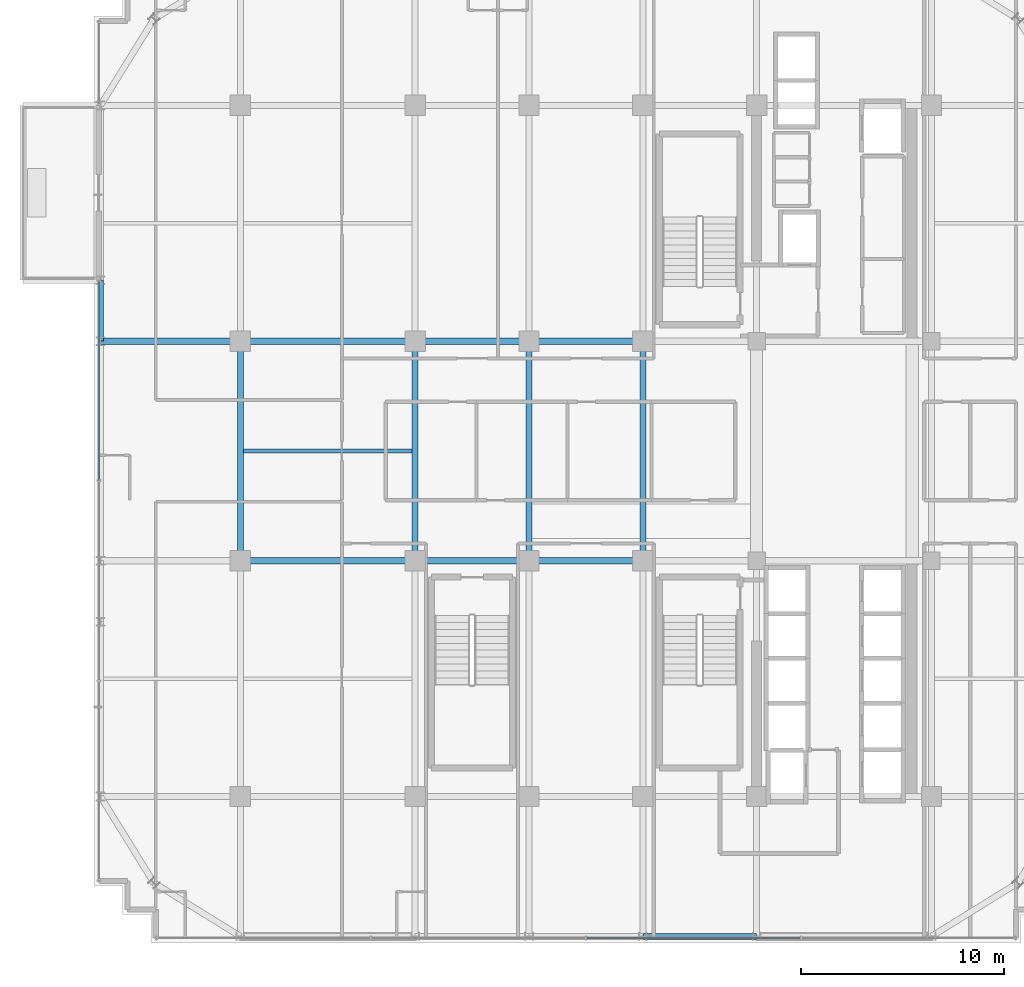
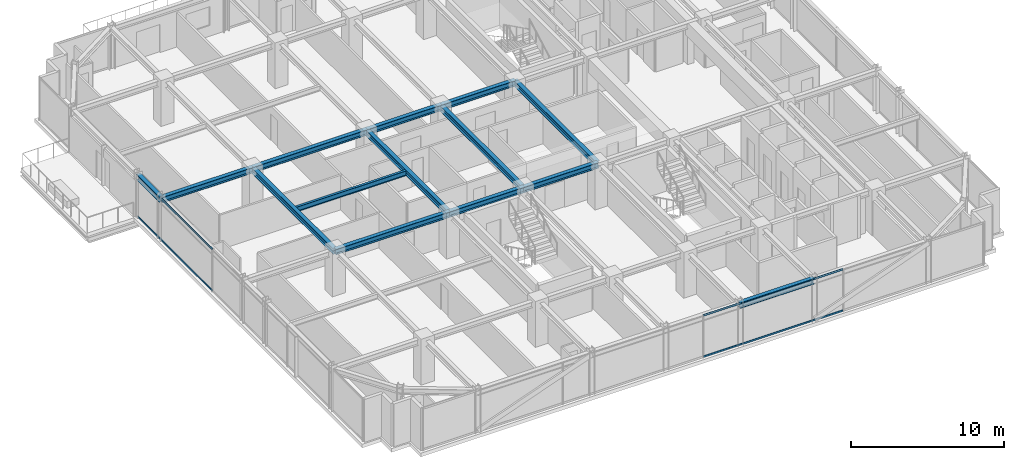
# One storey, part 11 of 36: 14 beams, 4 members, 2 elements without a shape of their own.
"""IFC4 building model written with IfcOpenShell, lengths in metres."""

from ifc_helpers import new_model, si_unit, direction, frame, origin, origin_2d, place, context, subcontext, project, spatial, hollow_rectangle, i_section, extrude, source, transform, mapped, material, material_profile, profile_set, type_object, element, aggregate, save


model = new_model("IFC4")

# Units and contexts
model_context = context("Model", 3, precision=1e-05, world=origin(), true_north=direction((0.0, 1.0)))
body_context = subcontext(model_context, "Body", "Model", "MODEL_VIEW")
ifc_project = project(units=[si_unit("LENGTHUNIT", "METRE"), si_unit("AREAUNIT", "SQUARE_METRE"), si_unit("VOLUMEUNIT", "CUBIC_METRE"), si_unit("PLANEANGLEUNIT", "RADIAN"), si_unit("MASSUNIT", "GRAM", prefix="KILO")], contexts=[model_context])

# Site, building, storey
site_placement = place(None, origin())
site = spatial("IfcSite", under=ifc_project, at=site_placement, CompositionType="ELEMENT")
building_placement = place(site_placement, origin())
building = spatial("IfcBuilding", under=site, at=building_placement, Name="Nahalor Promenade Grand Hotel", CompositionType="ELEMENT")
storey_placement = place(building_placement, frame((0.0, 0.0, 212.300048828125)))
storey = spatial("IfcBuildingStorey", under=building, at=storey_placement, Name="L54", CompositionType="ELEMENT", Elevation=212.300048828125)

# Beams
ifc_material_1 = material(Name="Steel S355JR", Category="steel")
ifc_material_profile_1 = material_profile(ifc_material_1, i_section(OverallWidth=0.3, OverallDepth=0.45, WebThickness=0.014, FlangeThickness=0.026, at=origin_2d()), Name="HEB 450")
ifc_profile_set_1 = profile_set([ifc_material_profile_1], Name="Steel S355JR")
beam_type_1 = type_object("IfcBeamType", Name="Beam-Spandrel-HEB450", PredefinedType="SPANDREL", material=ifc_profile_set_1)
shared_shape_1 = source(origin(), body_context, "Body", "SweptSolid", [
    extrude(i_section(OverallWidth=0.3, OverallDepth=0.45, WebThickness=0.014, FlangeThickness=0.026, at=origin_2d()), origin(), (0.0, 0.0, 1.0), 5.599853515625),
])
beam_1_placement = place(storey_placement, frame((2.800048828125, -23.8798828125, 3.18505859375), z_axis=(1.0, 0.0, 0.0), x_axis=(0.0, 1.0, 0.0)))
element("IfcBeam", 1, at=beam_1_placement, inside=storey, type_object=beam_type_1, Name="BM-L54-SP-S-3", PredefinedType="SPANDREL", context=body_context, shape_type="MappedRepresentation", body=[
    mapped(shared_shape_1, transform((0.0, 0.0, 0.0), scale=1.0)),
])
shared_shape_2 = source(origin(), body_context, "Body", "SweptSolid", [
    extrude(i_section(OverallWidth=0.3, OverallDepth=0.45, WebThickness=0.014, FlangeThickness=0.026, at=origin_2d()), origin(), (0.0, 0.0, 1.0), 3.0),
])
beam_2_placement = place(storey_placement, frame((-23.8798828125, 5.39990234375, 3.18505859375), z_axis=(0.0, 1.0, 0.0), x_axis=(-1.0, 0.0, 0.0)))
element("IfcBeam", 2, at=beam_2_placement, inside=storey, type_object=beam_type_1, Name="BM-L54-SP-W-3", PredefinedType="SPANDREL", context=body_context, shape_type="MappedRepresentation", body=[
    mapped(shared_shape_2, transform((0.0, 0.0, 0.0), scale=1.0)),
])
ifc_material_profile_2 = material_profile(ifc_material_1, i_section(OverallWidth=0.3, OverallDepth=0.45, WebThickness=0.014, FlangeThickness=0.026, at=origin_2d()), Name="HEB 450")
ifc_profile_set_2 = profile_set([ifc_material_profile_2], Name="Steel S355JR")
beam_type_2 = type_object("IfcBeamType", Name="Beam-Girder-HEB450", PredefinedType="BEAM", material=ifc_profile_set_2)
shared_shape_3 = source(origin(), body_context, "Body", "SweptSolid", [
    extrude(i_section(OverallWidth=0.3, OverallDepth=0.45, WebThickness=0.014, FlangeThickness=0.026, at=origin_2d()), origin(), (0.0, 0.0, 1.0), 6.8798828125),
])
beam_3_placement = place(storey_placement, frame((-23.8798828125, 5.39990234375, 3.18505859375), z_axis=(1.0, 0.0, 0.0), x_axis=(0.0, 1.0, 0.0)))
element("IfcBeam", 3, at=beam_3_placement, inside=storey, type_object=beam_type_2, Name="BM-L54-GX-2-0", PredefinedType="BEAM", context=body_context, shape_type="MappedRepresentation", body=[
    mapped(shared_shape_3, transform((0.0, 0.0, 0.0), scale=1.0)),
])
shared_shape_4 = source(origin(), body_context, "Body", "SweptSolid", [
    extrude(i_section(OverallWidth=0.3, OverallDepth=0.45, WebThickness=0.014, FlangeThickness=0.026, at=origin_2d()), origin(), (0.0, 0.0, 1.0), 8.60009765625),
])
for number, where, z_axis, x_axis, name in (
    (4, (-17.0, -5.39990234375, 3.18505859375), (1.0, 0.0, 0.0), (0.0, 1.0, 0.0), "BM-L54-GX-1-1"),
    (5, (-17.0, 5.39990234375, 3.18505859375), (1.0, 0.0, 0.0), (0.0, 1.0, 0.0), "BM-L54-GX-2-1"),
):
    element("IfcBeam", number, at=place(storey_placement, frame(where, z_axis=z_axis, x_axis=x_axis)), inside=storey, type_object=beam_type_2, Name=name, PredefinedType="BEAM", context=body_context, shape_type="MappedRepresentation", body=[
        mapped(shared_shape_4, transform((0.0, 0.0, 0.0), scale=1.0)),
    ])
shared_shape_5 = source(origin(), body_context, "Body", "SweptSolid", [
    extrude(i_section(OverallWidth=0.3, OverallDepth=0.45, WebThickness=0.014, FlangeThickness=0.026, at=origin_2d()), origin(), (0.0, 0.0, 1.0), 5.599853515625),
])
for number, where, z_axis, x_axis, name in (
    (6, (-8.39990234375, -5.39990234375, 3.18505859375), (1.0, 0.0, 0.0), (0.0, 1.0, 0.0), "BM-L54-GX-1-2"),
    (7, (-8.39990234375, 5.39990234375, 3.18505859375), (1.0, 0.0, 0.0), (0.0, 1.0, 0.0), "BM-L54-GX-2-2"),
):
    element("IfcBeam", number, at=place(storey_placement, frame(where, z_axis=z_axis, x_axis=x_axis)), inside=storey, type_object=beam_type_2, Name=name, PredefinedType="BEAM", context=body_context, shape_type="MappedRepresentation", body=[
        mapped(shared_shape_5, transform((0.0, 0.0, 0.0), scale=1.0)),
    ])
shared_shape_6 = source(origin(), body_context, "Body", "SweptSolid", [
    extrude(i_section(OverallWidth=0.3, OverallDepth=0.45, WebThickness=0.014, FlangeThickness=0.026, at=origin_2d()), origin(), (0.0, 0.0, 1.0), 5.60009765625),
])
for number, where, z_axis, x_axis, name in (
    (8, (-2.800048828125, -5.39990234375, 3.18505859375), (1.0, 0.0, 0.0), (0.0, 1.0, 0.0), "BM-L54-GX-1-3"),
    (9, (-2.800048828125, 5.39990234375, 3.18505859375), (1.0, 0.0, 0.0), (0.0, 1.0, 0.0), "BM-L54-GX-2-3"),
):
    element("IfcBeam", number, at=place(storey_placement, frame(where, z_axis=z_axis, x_axis=x_axis)), inside=storey, type_object=beam_type_2, Name=name, PredefinedType="BEAM", context=body_context, shape_type="MappedRepresentation", body=[
        mapped(shared_shape_6, transform((0.0, 0.0, 0.0), scale=1.0)),
    ])
shared_shape_7 = source(origin(), body_context, "Body", "SweptSolid", [
    extrude(i_section(OverallWidth=0.3, OverallDepth=0.45, WebThickness=0.014, FlangeThickness=0.026, at=origin_2d()), origin(), (0.0, 0.0, 1.0), 10.7998046875),
])
for number, where, z_axis, x_axis, name in (
    (10, (-17.0, -5.39990234375, 3.18505859375), (0.0, 1.0, 0.0), (-1.0, 0.0, 0.0), "BM-L54-GY-0-2"),
    (11, (-8.39990234375, -5.39990234375, 3.18505859375), (0.0, 1.0, 0.0), (-1.0, 0.0, 0.0), "BM-L54-GY-1-2"),
    (12, (-2.800048828125, -5.39990234375, 3.18505859375), (0.0, 1.0, 0.0), (-1.0, 0.0, 0.0), "BM-L54-GY-2-2"),
    (13, (2.800048828125, -5.39990234375, 3.18505859375), (0.0, 1.0, 0.0), (-1.0, 0.0, 0.0), "BM-L54-GY-3-2"),
):
    element("IfcBeam", number, at=place(storey_placement, frame(where, z_axis=z_axis, x_axis=x_axis)), inside=storey, type_object=beam_type_2, Name=name, PredefinedType="BEAM", context=body_context, shape_type="MappedRepresentation", body=[
        mapped(shared_shape_7, transform((0.0, 0.0, 0.0), scale=1.0)),
    ])
ifc_material_profile_3 = material_profile(ifc_material_1, i_section(OverallWidth=0.18, OverallDepth=0.4, WebThickness=0.0086, FlangeThickness=0.0135, at=origin_2d()), Name="IPE 400")
ifc_profile_set_3 = profile_set([ifc_material_profile_3], Name="Steel S355JR")
beam_type_3 = type_object("IfcBeamType", Name="Beam-Joist-IPE400", PredefinedType="JOIST", material=ifc_profile_set_3)
shared_shape_8 = source(origin(), body_context, "Body", "SweptSolid", [
    extrude(i_section(OverallWidth=0.18, OverallDepth=0.4, WebThickness=0.0086, FlangeThickness=0.0135, at=origin_2d()), origin(), (0.0, 0.0, 1.0), 8.300048828125),
])
beam_4_placement = place(storey_placement, frame((-16.85009765625, 0.0, 3.2099609375), z_axis=(1.0, 0.0, 0.0), x_axis=(0.0, 1.0, 0.0)))
element("IfcBeam", 14, at=beam_4_placement, inside=storey, type_object=beam_type_3, Name="BM-L54-JSC-0", PredefinedType="JOIST", context=body_context, shape_type="MappedRepresentation", body=[
    mapped(shared_shape_8, transform((0.0, 0.0, 0.0), scale=1.0)),
])

# Curtain wall, members
ifc_material_2 = material(Name="Anodised Bronze Aluminium EN AW-6063 T6", Category="aluminium")
curtain_wall_type = type_object("IfcCurtainWallType", Name="CW2 Typical Hotel Flush Bronze Unitised Curtain Wall", PredefinedType="USERDEFINED", material=ifc_material_2)
curtain_wall_1_placement = place(storey_placement, origin())
curtain_wall_1 = element("IfcCurtainWall", 15, at=curtain_wall_1_placement, inside=storey, type_object=curtain_wall_type, Name="L54 Curtain Wall CW-L54-S-1", ObjectType="UNITISED_CURTAIN_WALL", PredefinedType="USERDEFINED")
ifc_material_profile_4 = material_profile(ifc_material_2, hollow_rectangle(XDim=0.065, YDim=0.13, WallThickness=0.004, at=origin_2d()), Name="CWT 65x130x4")
ifc_profile_set_4 = profile_set([ifc_material_profile_4], Name="Anodised Bronze Aluminium EN AW-6063 T6")
member_type = type_object("IfcMemberType", Name="CWT2 Typical Bronze Transom 65x130", PredefinedType="USERDEFINED", material=ifc_profile_set_4)
shared_shape_9 = source(origin(), body_context, "Body", "SweptSolid", [
    extrude(hollow_rectangle(XDim=0.065, YDim=0.13, WallThickness=0.004, at=origin_2d()), origin(), (0.0, 0.0, 1.0), 10.51513671875),
])
member_1_placement = place(storey_placement, frame((0.032470703125, -23.9599609375, 0.06494140625), z_axis=(1.0, 0.0, 0.0), x_axis=(0.0, 1.0, 0.0)))
member_1 = element("IfcMember", 16, at=member_1_placement, type_object=member_type, Name="CW-L54-S-1 Transom 2-0", ObjectType="TRANSOM", PredefinedType="USERDEFINED", context=body_context, shape_type="MappedRepresentation", body=[
    mapped(shared_shape_9, transform((0.0, 0.0, 0.0), scale=1.0)),
])
member_2_placement = place(storey_placement, frame((0.032470703125, -23.9599609375, 3.344970703125), z_axis=(1.0, 0.0, 0.0), x_axis=(0.0, 1.0, 0.0)))
member_2 = element("IfcMember", 17, at=member_2_placement, type_object=member_type, Name="CW-L54-S-1 Transom 2-1", ObjectType="TRANSOM", PredefinedType="USERDEFINED", context=body_context, shape_type="MappedRepresentation", body=[
    mapped(shared_shape_9, transform((0.0, 0.0, 0.0), scale=1.0)),
])
aggregate(curtain_wall_1, [member_1, member_2])

curtain_wall_2_placement = place(storey_placement, origin())
curtain_wall_2 = element("IfcCurtainWall", 18, at=curtain_wall_2_placement, inside=storey, type_object=curtain_wall_type, Name="L54 Curtain Wall CW-L54-W-1", ObjectType="UNITISED_CURTAIN_WALL", PredefinedType="USERDEFINED")
shared_shape_10 = source(origin(), body_context, "Body", "SweptSolid", [
    extrude(hollow_rectangle(XDim=0.065, YDim=0.13, WallThickness=0.004, at=origin_2d()), origin(), (0.0, 0.0, 1.0), 9.755859375),
])
member_3_placement = place(storey_placement, frame((-23.9599609375, -1.4208984375, 0.06494140625), z_axis=(0.0, 1.0, 0.0), x_axis=(-1.0, 0.0, 0.0)))
member_3 = element("IfcMember", 19, at=member_3_placement, type_object=member_type, Name="CW-L54-W-1 Transom 2-0", ObjectType="TRANSOM", PredefinedType="USERDEFINED", context=body_context, shape_type="MappedRepresentation", body=[
    mapped(shared_shape_10, transform((0.0, 0.0, 0.0), scale=1.0)),
])
member_4_placement = place(storey_placement, frame((-23.9599609375, -1.4208984375, 3.344970703125), z_axis=(0.0, 1.0, 0.0), x_axis=(-1.0, 0.0, 0.0)))
member_4 = element("IfcMember", 20, at=member_4_placement, type_object=member_type, Name="CW-L54-W-1 Transom 2-1", ObjectType="TRANSOM", PredefinedType="USERDEFINED", context=body_context, shape_type="MappedRepresentation", body=[
    mapped(shared_shape_10, transform((0.0, 0.0, 0.0), scale=1.0)),
])
aggregate(curtain_wall_2, [member_3, member_4])

save(model, "model.ifc")
